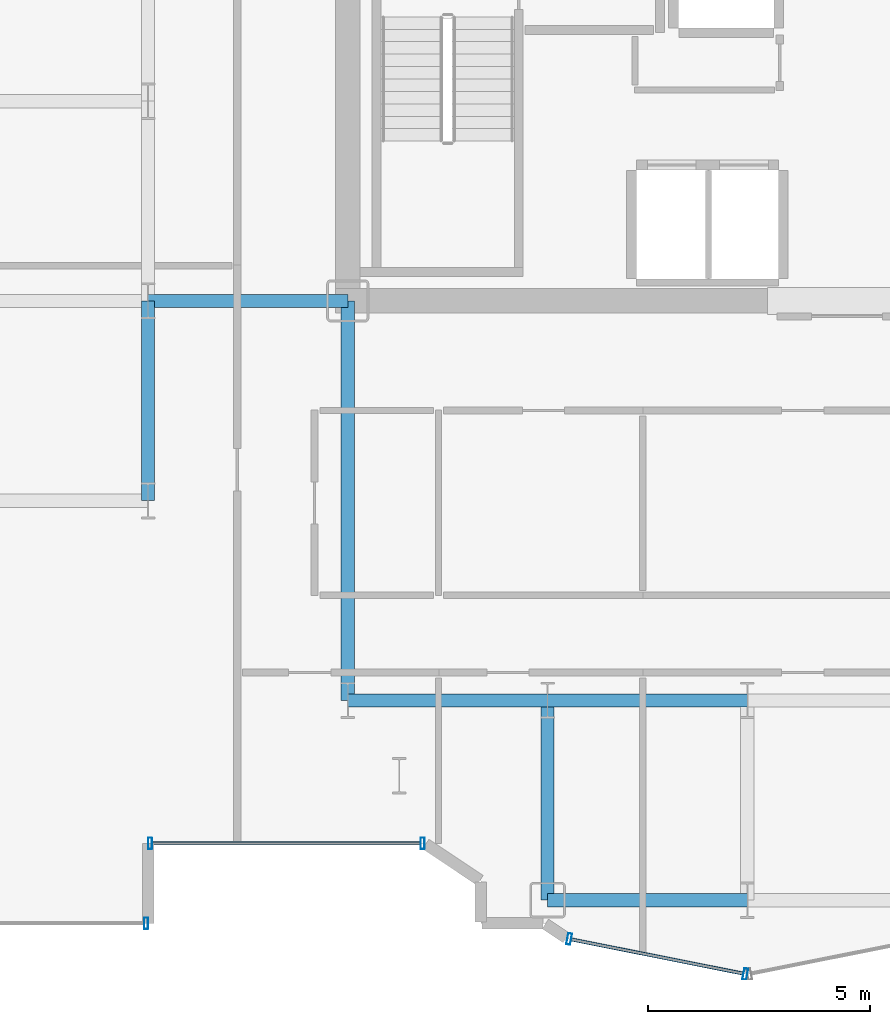
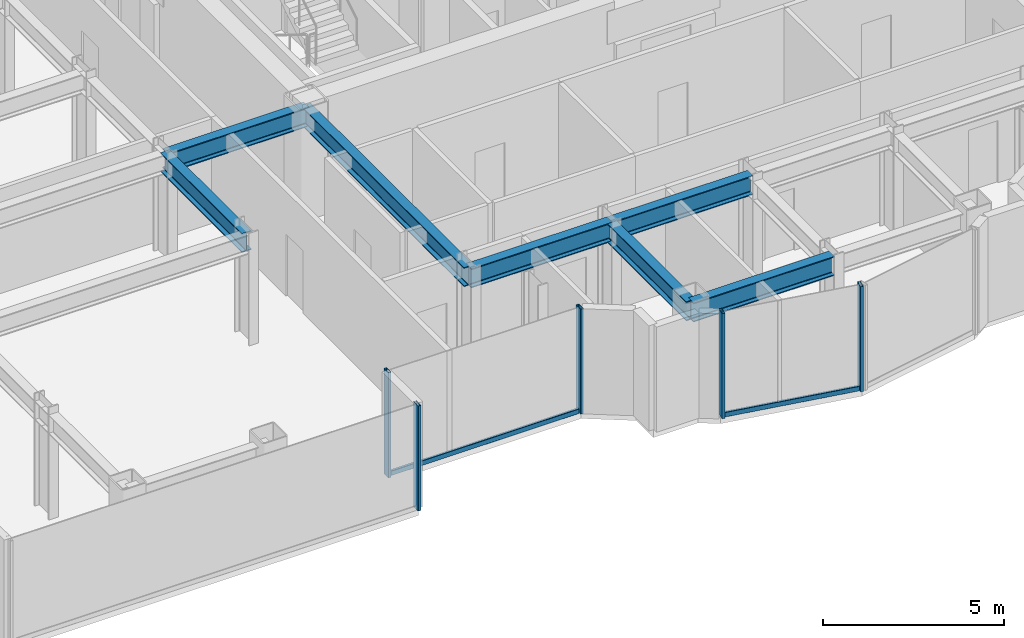
# One storey, part 5 of 23: 7 beams, 7 members, 3 elements without a shape of their own.
"""IFC4 building model written with IfcOpenShell, lengths in metres."""

import ifcopenshell
import ifcopenshell.guid

model = None  # the IFC model being written
_history = None  # IfcOwnerHistory: only IFC2X3 demands one
_inside = {}  # id of a spatial element -> (the spatial element, [elements in it])
_under = {}  # id of a project, library or spatial element -> (it, [spatial elements below it])
_declared = {}  # id of a project -> (the project, [libraries it declares])
_typed = {}  # id of a type object -> (the type object, [elements of that type])
_made_of = {}  # id of a material, layer set ... -> (it, [elements and type objects made of it])


def new_model(schema):
    """Start an empty IFC model of exactly this schema.

    Asked for "IFC4X3", IfcOpenShell would pick the latest addendum, in which some entities
    have other attributes; the version numbers below select the first issue.
    IFC2X3 requires an IfcOwnerHistory on every rooted entity: one is made here for all.
    """
    global model, _history
    if schema == "IFC4X3":
        model = ifcopenshell.file(schema_version=(4, 3, 0, 0))
    else:
        model = ifcopenshell.file(schema=schema)
    _inside.clear()
    _under.clear()
    _declared.clear()
    _typed.clear()
    _made_of.clear()
    _history = None
    if model.schema == "IFC2X3":
        org = make("IfcOrganization", Name="unknown")
        user = make(
            "IfcPersonAndOrganization",
            ThePerson=make("IfcPerson", FamilyName="unknown"),
            TheOrganization=org,
        )
        app = make(
            "IfcApplication",
            ApplicationDeveloper=org,
            Version="unknown",
            ApplicationFullName="unknown",
            ApplicationIdentifier="unknown",
        )
        _history = make(
            "IfcOwnerHistory",
            OwningUser=user,
            OwningApplication=app,
            ChangeAction="ADDED",
            CreationDate=0,
        )
    return model


def make(cls, **values):
    """One entity of the class cls with the attributes given. An attribute that is None is left unset."""
    return model.create_entity(
        cls, **{name: value for name, value in values.items() if value is not None}
    )


def rooted(cls, **values):
    """An entity with a GlobalId (a new one), such as an element, a storey or a relation."""
    return make(cls, GlobalId=ifcopenshell.guid.new(), OwnerHistory=_history, **values)


def si_unit(unit_type, name, prefix=None):
    """IfcSIUnit, for example si_unit("LENGTHUNIT", "METRE", prefix="MILLI")."""
    return make("IfcSIUnit", UnitType=unit_type, Prefix=prefix, Name=name)


def assignment(units):
    """IfcUnitAssignment: the units of a project."""
    return None if units is None else make("IfcUnitAssignment", Units=units)


def point(xyz):
    """IfcCartesianPoint."""
    return None if xyz is None else make("IfcCartesianPoint", Coordinates=xyz)


def direction(xyz):
    """IfcDirection."""
    return None if xyz is None else make("IfcDirection", DirectionRatios=xyz)


def frame(location, z_axis=None, x_axis=None):
    """IfcAxis2Placement3D, a coordinate frame: its origin and axes. An axis left out is left unset."""
    return make(
        "IfcAxis2Placement3D",
        Location=point(location),
        Axis=direction(z_axis),
        RefDirection=direction(x_axis),
    )


def frame_2d(location, x_axis=None):
    """IfcAxis2Placement2D, a coordinate frame in the plane: its origin and x axis."""
    return make(
        "IfcAxis2Placement2D", Location=point(location), RefDirection=direction(x_axis)
    )


def origin():
    """The frame at (0, 0, 0) with its axes left unset."""
    return frame((0.0, 0.0, 0.0))


def origin_2d():
    """The frame at (0, 0) in the plane with its x axis left unset."""
    return frame_2d((0.0, 0.0))


def place(relative_to, where):
    """IfcLocalPlacement: puts the frame where relative to a parent placement (None: the world)."""
    return make(
        "IfcLocalPlacement", PlacementRelTo=relative_to, RelativePlacement=where
    )


def context(
    kind, dimensions, precision=None, world=None, true_north=None, identifier=None
):
    """IfcGeometricRepresentationContext, for example the 3D "Model" context."""
    return make(
        "IfcGeometricRepresentationContext",
        ContextIdentifier=identifier,
        ContextType=kind,
        CoordinateSpaceDimension=dimensions,
        Precision=precision,
        WorldCoordinateSystem=world,
        TrueNorth=true_north,
    )


def subcontext(parent, identifier, kind, view, scale=None):
    """IfcGeometricRepresentationSubContext, for example "Body" below "Model"."""
    return make(
        "IfcGeometricRepresentationSubContext",
        ContextIdentifier=identifier,
        ContextType=kind,
        ParentContext=parent,
        TargetScale=scale,
        TargetView=view,
    )


def project(units=None, contexts=None):
    """IfcProject with its units and contexts."""
    return rooted(
        "IfcProject",
        Name="project",
        RepresentationContexts=contexts,
        UnitsInContext=assignment(units),
    )


def spatial(cls, under=None, at=None, **own):
    """A site, building, storey or space (cls), placed at a placement, below another one or the project."""
    s = rooted(cls, ObjectPlacement=at, **own)
    if under is not None:
        _under.setdefault(under.id(), (under, []))[1].append(s)
    return s


def profile(cls, at=None, kind="AREA", **sizes):
    """A parametric profile (cls). Its sizes go by their IFC names, for example OverallWidth=200.0."""
    return make(cls, ProfileType=kind, Position=at, **sizes)


def hollow_rectangle(**sizes):
    """IfcRectangleHollowProfileDef."""
    return profile("IfcRectangleHollowProfileDef", **sizes)


def i_section(**sizes):
    """IfcIShapeProfileDef."""
    return profile("IfcIShapeProfileDef", **sizes)


def extrude(swept, where, along, depth):
    """IfcExtrudedAreaSolid: the profile swept, set in the frame where, extruded along a direction by depth."""
    return make(
        "IfcExtrudedAreaSolid",
        SweptArea=swept,
        Position=where,
        ExtrudedDirection=direction(along),
        Depth=depth,
    )


def shape(context_of_items, identifier, shape_type, items):
    """IfcShapeRepresentation: the items that make up one representation, for example the "Body"."""
    return make(
        "IfcShapeRepresentation",
        ContextOfItems=context_of_items,
        RepresentationIdentifier=identifier,
        RepresentationType=shape_type,
        Items=items,
    )


def source(mapping_origin, context_of_items, identifier, shape_type, items):
    """IfcRepresentationMap: a shape defined once, which mapped items show again and again."""
    return make(
        "IfcRepresentationMap",
        MappingOrigin=mapping_origin,
        MappedRepresentation=shape(context_of_items, identifier, shape_type, items),
    )


def transform(
    local_origin,
    x_axis=None,
    y_axis=None,
    z_axis=None,
    scale=None,
    scale2=None,
    scale3=None,
    uniform=True,
):
    """IfcCartesianTransformationOperator3D, or its non-uniform kind. x_axis, y_axis, z_axis: its Axis1, 2, 3."""
    if uniform:
        return make(
            "IfcCartesianTransformationOperator3D",
            Axis1=direction(x_axis),
            Axis2=direction(y_axis),
            LocalOrigin=point(local_origin),
            Scale=scale,
            Axis3=direction(z_axis),
        )
    return make(
        "IfcCartesianTransformationOperator3DnonUniform",
        Axis1=direction(x_axis),
        Axis2=direction(y_axis),
        LocalOrigin=point(local_origin),
        Scale=scale,
        Axis3=direction(z_axis),
        Scale2=scale2,
        Scale3=scale3,
    )


def mapped(mapping_source, mapping_target):
    """IfcMappedItem: shows the shape of a source again, moved by a transform."""
    return make(
        "IfcMappedItem", MappingSource=mapping_source, MappingTarget=mapping_target
    )


def material(Name=None, Category=None):
    """IfcMaterial."""
    return make("IfcMaterial", Name=Name, Category=Category)


def layer(
    of_material, thickness, ventilated=None, Name=None, Category=None, Priority=None
):
    """IfcMaterialLayer: one layer of a wall or slab, of a material (None: an air gap)."""
    return make(
        "IfcMaterialLayer",
        Material=of_material,
        LayerThickness=thickness,
        IsVentilated=ventilated,
        Name=Name,
        Category=Category,
        Priority=Priority,
    )


def layer_set(layers, Name=None):
    """IfcMaterialLayerSet."""
    return make("IfcMaterialLayerSet", MaterialLayers=layers, LayerSetName=Name)


def material_profile(
    of_material, cross_section, Name=None, Category=None, Priority=None
):
    """IfcMaterialProfile: a cross section and its material."""
    return make(
        "IfcMaterialProfile",
        Name=Name,
        Material=of_material,
        Profile=cross_section,
        Priority=Priority,
        Category=Category,
    )


def profile_set(profiles, Name=None, composite=None):
    """IfcMaterialProfileSet."""
    return make(
        "IfcMaterialProfileSet",
        Name=Name,
        MaterialProfiles=profiles,
        CompositeProfile=composite,
    )


def made_of(thing, what):
    """Note that an element or type object is made of a material, layer set ...; save() writes the relation."""
    if what is not None:
        _made_of.setdefault(what.id(), (what, []))[1].append(thing)
    return thing


def type_object(cls, material=None, **own):
    """A type object (cls), such as IfcWallType, which elements share."""
    return made_of(rooted(cls, **own), material)


def element(
    cls,
    number,
    at=None,
    inside=None,
    cuts=None,
    type_object=None,
    material=None,
    context=None,
    identifier="Body",
    shape_type=None,
    held_by="IfcProductDefinitionShape",
    body=None,
    shapes=None,
    **own,
):
    """One element of the class cls, such as IfcWall. Its Tag is "e" and its number.

    at: its placement. inside: the storey or other place that contains it. cuts: it is an
    opening in that element (IfcRelVoidsElement). A single representation is given by context,
    identifier, shape_type and body (its items); several are given by shapes. held_by: the class
    of the entity that holds the representations. save() writes the other relations.
    """
    e = rooted(cls, Tag="e%d" % number, ObjectPlacement=at, **own)
    if body is not None:
        shapes = [shape(context, identifier, shape_type, body)]
    if shapes is not None:
        e.Representation = make(held_by, Representations=shapes)
    if inside is not None:
        _inside.setdefault(inside.id(), (inside, []))[1].append(e)
    if cuts is not None:
        rooted(
            "IfcRelVoidsElement", RelatingBuildingElement=cuts, RelatedOpeningElement=e
        )
    if type_object is not None:
        _typed.setdefault(type_object.id(), (type_object, []))[1].append(e)
    return made_of(e, material)


def aggregate(whole, parts):
    """IfcRelAggregates: a whole, such as a stair, and the parts it consists of."""
    return rooted("IfcRelAggregates", RelatingObject=whole, RelatedObjects=parts)


def save(model, path):
    """Write the relations noted so far, then the file.

    IfcRelAggregates (storeys below a building ...), IfcRelContainedInSpatialStructure (elements
    in a storey), IfcRelDefinesByType, IfcRelAssociatesMaterial and IfcRelDeclares: one each for
    every whole, place, type object, material and project.
    """
    for whole, parts in _under.values():
        aggregate(whole, parts)
    for where, things in _inside.values():
        rooted(
            "IfcRelContainedInSpatialStructure",
            RelatedElements=things,
            RelatingStructure=where,
        )
    for kind, things in _typed.values():
        rooted("IfcRelDefinesByType", RelatedObjects=things, RelatingType=kind)
    for what, things in _made_of.values():
        rooted("IfcRelAssociatesMaterial", RelatedObjects=things, RelatingMaterial=what)
    for by, libraries in _declared.values():
        rooted("IfcRelDeclares", RelatingContext=by, RelatedDefinitions=libraries)
    model.write(path)


model = new_model("IFC4")

# Units and contexts
model_context = context("Model", 3, precision=1e-05, world=origin(), true_north=direction((0.0, 1.0)))
body_context = subcontext(model_context, "Body", "Model", "MODEL_VIEW")
ifc_project = project(units=[si_unit("LENGTHUNIT", "METRE"), si_unit("AREAUNIT", "SQUARE_METRE"), si_unit("VOLUMEUNIT", "CUBIC_METRE"), si_unit("PLANEANGLEUNIT", "RADIAN"), si_unit("MASSUNIT", "GRAM", prefix="KILO")], contexts=[model_context])

# Site, building, storey
site_placement = place(None, origin())
site = spatial("IfcSite", under=ifc_project, at=site_placement, CompositionType="ELEMENT")
building_placement = place(site_placement, origin())
building = spatial("IfcBuilding", under=site, at=building_placement, Name="Nefas-Gora Pilgrimage Tower", CompositionType="ELEMENT")
storey_placement = place(building_placement, frame((0.0, 0.0, 152.60009765625)))
storey = spatial("IfcBuildingStorey", under=building, at=storey_placement, Name="L37", CompositionType="ELEMENT", Elevation=152.60009765625)

# Beams
ifc_material_1 = material(Name="Steel S355", Category="steel")
ifc_material_profile_1 = material_profile(ifc_material_1, i_section(OverallWidth=0.300048828125, OverallDepth=0.64990234375, WebThickness=0.01611328125, FlangeThickness=0.031005859375, FilletRadius=0.027099609375, at=origin_2d()), Name="HEB 650")
ifc_profile_set_1 = profile_set([ifc_material_profile_1], Name="Steel S355")
beam_type = type_object("IfcBeamType", Name="BM-GIR-HEB650", PredefinedType="BEAM", material=ifc_profile_set_1)
shared_shape_1 = source(origin(), body_context, "Body", "SweptSolid", [
    extrude(i_section(OverallWidth=0.300048828125, OverallDepth=0.64990234375, WebThickness=0.01611328125, FlangeThickness=0.031005859375, FilletRadius=0.027099609375, at=origin_2d()), origin(), (0.0, 0.0, 1.0), 9.0),
])
beam_placement = place(storey_placement, frame((-11.25, -18.0, 3.224853515625), z_axis=(0.0, 1.0, 0.0), x_axis=(-1.0, 0.0, 0.0)))
element("IfcBeam", 1, at=beam_placement, inside=storey, type_object=beam_type, Name="L37 G-03 beam", PredefinedType="BEAM", context=body_context, shape_type="MappedRepresentation", body=[
    mapped(shared_shape_1, transform((0.0, 0.0, 0.0), x_axis=(1.0, 0.0, 0.0), y_axis=(0.0, 1.0, 0.0), z_axis=(0.0, 0.0, 1.0), scale=1.0)),
])
shared_shape_2 = source(origin(), body_context, "Body", "SweptSolid", [
    extrude(i_section(OverallWidth=0.300048828125, OverallDepth=0.64990234375, WebThickness=0.01611328125, FlangeThickness=0.031005859375, FilletRadius=0.027099609375, at=origin_2d()), origin(), (0.0, 0.0, 1.0), 4.5),
])
for number, where, z_axis, x_axis, name in (
    (2, (-15.75, -13.5, 3.224853515625), (0.0, 1.0, 0.0), (-1.0, 0.0, 0.0), "L37 G-03 beam"),
    (3, (-15.75, -9.0, 3.224853515625), (1.0, 0.0, 0.0), (0.0, 1.0, 0.0), "L37 G-03 beam"),
    (4, (-11.25, -18.0, 3.224853515625), (1.0, 0.0, 0.0), (0.0, 1.0, 0.0), "L37 G-03 beam"),
    (5, (-6.75, -22.5, 3.224853515625), (0.0, 1.0, 0.0), (-1.0, 0.0, 0.0), "L37 G-03 beam"),
    (6, (-6.75, -22.5, 3.224853515625), (1.0, 0.0, 0.0), (0.0, 1.0, 0.0), "L37 G-03 beam"),
    (7, (-6.75, -18.0, 3.224853515625), (1.0, 0.0, 0.0), (0.0, 1.0, 0.0), "L37 G-03 beam"),
):
    element("IfcBeam", number, at=place(storey_placement, frame(where, z_axis=z_axis, x_axis=x_axis)), inside=storey, type_object=beam_type, Name=name, PredefinedType="BEAM", context=body_context, shape_type="MappedRepresentation", body=[
        mapped(shared_shape_2, transform((0.0, 0.0, 0.0), x_axis=(1.0, 0.0, 0.0), y_axis=(0.0, 1.0, 0.0), z_axis=(0.0, 0.0, 1.0), scale=1.0)),
    ])

# Curtain wall, member
ifc_material_2 = material(Name="Dark ceramic-fritted solar-control aluminium-glass curtain wall", Category="aluminium")
ifc_layer_1 = layer(ifc_material_2, 0.219970703125)
ifc_layer_set_1 = layer_set([ifc_layer_1], Name="Dark ceramic-fritted solar-control aluminium-glass curtain wall")
curtain_wall_type_1 = type_object("IfcCurtainWallType", Name="CW-SYS-5", PredefinedType="NOTDEFINED", material=ifc_layer_set_1)
curtain_wall_1_placement = place(storey_placement, origin())
curtain_wall_1 = element("IfcCurtainWall", 8, at=curtain_wall_1_placement, inside=storey, type_object=curtain_wall_type_1, Name="L37 Unitised Curtain Wall CW5", PredefinedType="NOTDEFINED")
ifc_material_3 = material(Name="Anodised architectural aluminium", Category="aluminium")
ifc_material_profile_2 = material_profile(ifc_material_3, hollow_rectangle(XDim=0.080078125, YDim=0.159912109375, WallThickness=0.00439453125, InnerFilletRadius=0.00439453125, OuterFilletRadius=0.009033203125, at=origin_2d()), Name="ALU TRANSOM 80x160")
ifc_profile_set_2 = profile_set([ifc_material_profile_2], Name="Anodised architectural aluminium")
member_type_1 = type_object("IfcMemberType", Name="CWM-TRN-5", PredefinedType="USERDEFINED", material=ifc_profile_set_2)
shared_shape_3 = source(origin(), body_context, "Body", "SweptSolid", [
    extrude(hollow_rectangle(XDim=0.080078125, YDim=0.159912109375, WallThickness=0.00439453125, InnerFilletRadius=0.00439453125, OuterFilletRadius=0.009033203125, at=origin_2d()), origin(), (0.0, 0.0, 1.0), 6.052001953125),
])
member_1_placement = place(storey_placement, frame((-15.659912109375, -21.219970703125, 0.0498046875), z_axis=(1.0, 0.0, 0.0), x_axis=(0.0, 1.0, 0.0)))
member_1 = element("IfcMember", 9, at=member_1_placement, type_object=member_type_1, Name="CW5 Spandrel Transom", ObjectType="TRANSOM", PredefinedType="USERDEFINED", context=body_context, shape_type="MappedRepresentation", body=[
    mapped(shared_shape_3, transform((0.0, 0.0, 0.0), x_axis=(1.0, 0.0, 0.0), y_axis=(0.0, 1.0, 0.0), z_axis=(0.0, 0.0, 1.0), scale=1.0)),
])

curtain_wall_2_placement = place(storey_placement, origin())
curtain_wall_2 = element("IfcCurtainWall", 10, at=curtain_wall_2_placement, inside=storey, type_object=curtain_wall_type_1, Name="L37 Unitised Curtain Wall CW5", PredefinedType="NOTDEFINED")
shared_shape_4 = source(origin(), body_context, "Body", "SweptSolid", [
    extrude(hollow_rectangle(XDim=0.080078125, YDim=0.159912109375, WallThickness=0.00439453125, InnerFilletRadius=0.00439453125, OuterFilletRadius=0.009033203125, at=origin_2d()), origin(), (0.0, 0.0, 1.0), 3.95654296875),
])
member_2_placement = place(storey_placement, frame((-6.218994140625, -23.3828125, 0.0498046875), z_axis=(0.980781880918, -0.195107411605, 0.0), x_axis=(0.195107411605, 0.980781880918, 0.0)))
member_2 = element("IfcMember", 11, at=member_2_placement, type_object=member_type_1, Name="CW5 Spandrel Transom", ObjectType="TRANSOM", PredefinedType="USERDEFINED", context=body_context, shape_type="MappedRepresentation", body=[
    mapped(shared_shape_4, transform((0.0, 0.0, 0.0), x_axis=(1.0, 0.0, 0.0), y_axis=(0.0, 1.0, 0.0), z_axis=(0.0, 0.0, 1.0), scale=1.0)),
])

# Member
ifc_material_profile_3 = material_profile(ifc_material_3, hollow_rectangle(XDim=0.090087890625, YDim=0.260009765625, WallThickness=0.006103515625, InnerFilletRadius=0.006103515625, OuterFilletRadius=0.011962890625, at=origin_2d()), Name="ALU MULLION 90x260")
ifc_profile_set_3 = profile_set([ifc_material_profile_3], Name="Anodised architectural aluminium")
member_type_2 = type_object("IfcMemberType", Name="CWM-MUL-5", PredefinedType="MULLION", material=ifc_profile_set_3)
shared_shape_5 = source(origin(), body_context, "Body", "SweptSolid", [
    extrude(hollow_rectangle(XDim=0.090087890625, YDim=0.260009765625, WallThickness=0.006103515625, InnerFilletRadius=0.006103515625, OuterFilletRadius=0.011962890625, at=origin_2d()), origin(), (0.0, 0.0, 1.0), 3.5498046875),
])
member_3_placement = place(storey_placement, frame((-15.705078125, -21.219970703125, 0.0), z_axis=(0.0, 0.0, 1.0), x_axis=(1.0, 0.0, 0.0)))
member_3 = element("IfcMember", 12, at=member_3_placement, type_object=member_type_2, Name="CW5 Mullion 1", PredefinedType="MULLION", context=body_context, shape_type="MappedRepresentation", body=[
    mapped(shared_shape_5, transform((0.0, 0.0, 0.0), x_axis=(1.0, 0.0, 0.0), y_axis=(0.0, 1.0, 0.0), z_axis=(0.0, 0.0, 1.0), scale=1.0)),
])

member_4_placement = place(storey_placement, frame((-9.56298828125, -21.219970703125, 0.0), z_axis=(0.0, 0.0, 1.0), x_axis=(1.0, 0.0, 0.0)))
member_4 = element("IfcMember", 13, at=member_4_placement, type_object=member_type_2, Name="CW5 Mullion 2", PredefinedType="MULLION", context=body_context, shape_type="MappedRepresentation", body=[
    mapped(shared_shape_5, transform((0.0, 0.0, 0.0), x_axis=(1.0, 0.0, 0.0), y_axis=(0.0, 1.0, 0.0), z_axis=(0.0, 0.0, 1.0), scale=1.0)),
])

aggregate(curtain_wall_1, [member_3, member_4, member_1])

member_5_placement = place(storey_placement, frame((-6.26318359375, -23.3740234375, 0.0), z_axis=(0.0, 0.0, 1.0), x_axis=(0.980782896852, -0.195102304554, 0.0)))
member_5 = element("IfcMember", 14, at=member_5_placement, type_object=member_type_2, Name="CW5 Mullion 1", PredefinedType="MULLION", context=body_context, shape_type="MappedRepresentation", body=[
    mapped(shared_shape_5, transform((0.0, 0.0, 0.0), x_axis=(1.0, 0.0, 0.0), y_axis=(0.0, 1.0, 0.0), z_axis=(0.0, 0.0, 1.0), scale=1.0)),
])

member_6_placement = place(storey_placement, frame((-2.294189453125, -24.16357421875, 0.0), z_axis=(0.0, 0.0, 1.0), x_axis=(0.980782896852, -0.195102304554, 0.0)))
member_6 = element("IfcMember", 15, at=member_6_placement, type_object=member_type_2, Name="CW5 Mullion 2", PredefinedType="MULLION", context=body_context, shape_type="MappedRepresentation", body=[
    mapped(shared_shape_5, transform((0.0, 0.0, 0.0), x_axis=(1.0, 0.0, 0.0), y_axis=(0.0, 1.0, 0.0), z_axis=(0.0, 0.0, 1.0), scale=1.0)),
])

aggregate(curtain_wall_2, [member_5, member_6, member_2])

# Curtain wall, member
ifc_layer_2 = layer(ifc_material_2, 0.219970703125)
ifc_layer_set_2 = layer_set([ifc_layer_2], Name="Dark ceramic-fritted solar-control aluminium-glass curtain wall")
curtain_wall_type_2 = type_object("IfcCurtainWallType", Name="CW-SYS-3", PredefinedType="NOTDEFINED", material=ifc_layer_set_2)
curtain_wall_3_placement = place(storey_placement, origin())
curtain_wall_3 = element("IfcCurtainWall", 16, at=curtain_wall_3_placement, inside=storey, type_object=curtain_wall_type_2, Name="L37 Unitised Curtain Wall CW3", PredefinedType="NOTDEFINED")
ifc_material_profile_4 = material_profile(ifc_material_3, hollow_rectangle(XDim=0.090087890625, YDim=0.260009765625, WallThickness=0.006103515625, InnerFilletRadius=0.006103515625, OuterFilletRadius=0.011962890625, at=origin_2d()), Name="ALU MULLION 90x260")
ifc_profile_set_4 = profile_set([ifc_material_profile_4], Name="Anodised architectural aluminium")
member_type_3 = type_object("IfcMemberType", Name="CWM-MUL-3", PredefinedType="MULLION", material=ifc_profile_set_4)
shared_shape_6 = source(origin(), body_context, "Body", "SweptSolid", [
    extrude(hollow_rectangle(XDim=0.090087890625, YDim=0.260009765625, WallThickness=0.006103515625, InnerFilletRadius=0.006103515625, OuterFilletRadius=0.011962890625, at=origin_2d()), origin(), (0.0, 0.0, 1.0), 3.5498046875),
])
member_7_placement = place(storey_placement, frame((-15.794921875, -23.02001953125, 0.0), z_axis=(0.0, 0.0, 1.0), x_axis=(1.0, 0.0, 0.0)))
member_7 = element("IfcMember", 17, at=member_7_placement, type_object=member_type_3, Name="CW3 Mullion 2", PredefinedType="MULLION", context=body_context, shape_type="MappedRepresentation", body=[
    mapped(shared_shape_6, transform((0.0, 0.0, 0.0), x_axis=(1.0, 0.0, 0.0), y_axis=(0.0, 1.0, 0.0), z_axis=(0.0, 0.0, 1.0), scale=1.0)),
])
aggregate(curtain_wall_3, [member_7])

save(model, "model.ifc")
